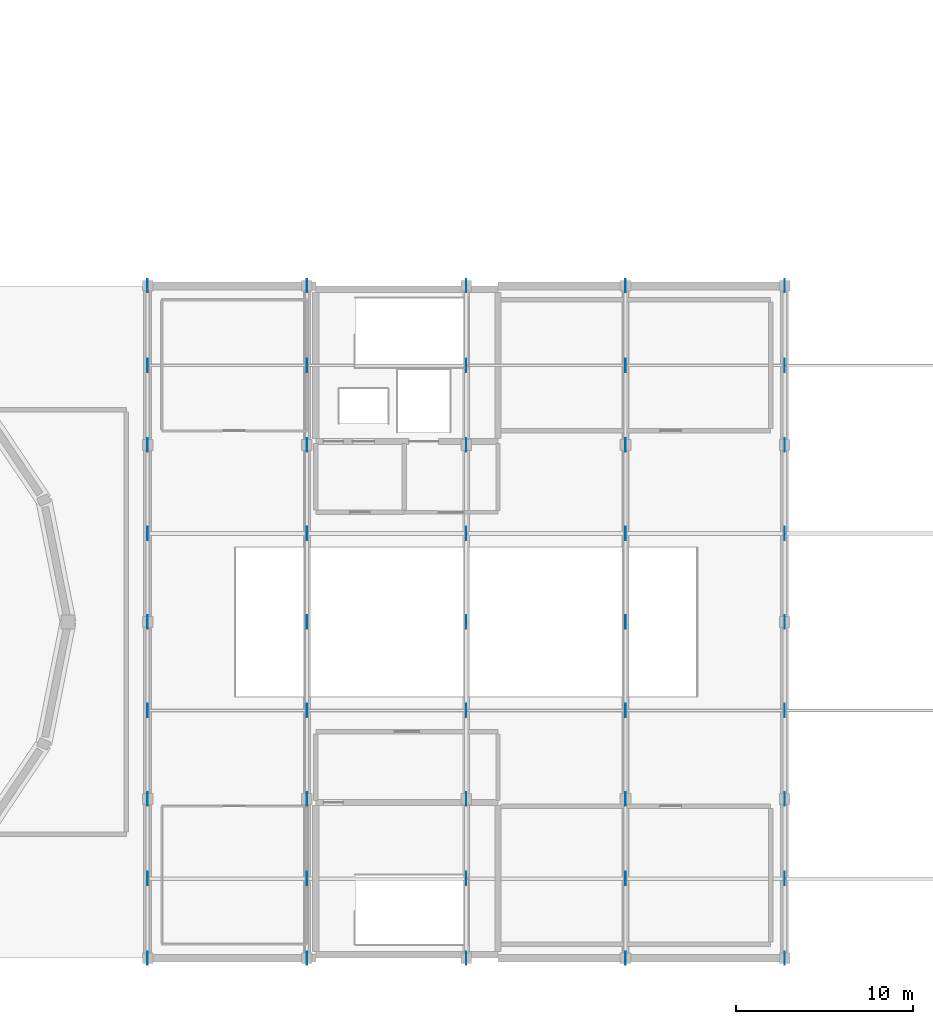
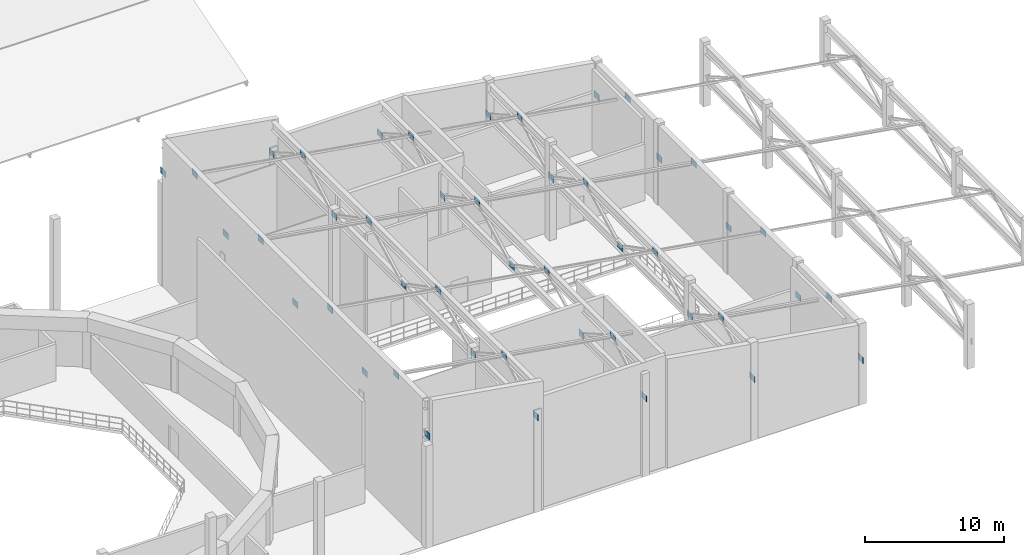
# One storey, part 58 of 68: 45 plates.
"""IFC4 building model written with IfcOpenShell, lengths in metres."""

from ifc_helpers import new_model, si_unit, direction, frame, origin, origin_2d, place, context, subcontext, project, spatial, rectangle, extrude, material, layer, layer_set, type_object, element, save


model = new_model("IFC4")

# Units and contexts
model_context = context("Model", 3, precision=1e-05, world=origin(), true_north=direction((0.0, 1.0)))
body_context = subcontext(model_context, "Body", "Model", "MODEL_VIEW")
ifc_project = project(units=[si_unit("LENGTHUNIT", "METRE"), si_unit("AREAUNIT", "SQUARE_METRE"), si_unit("VOLUMEUNIT", "CUBIC_METRE"), si_unit("PLANEANGLEUNIT", "RADIAN"), si_unit("MASSUNIT", "GRAM", prefix="KILO")], contexts=[model_context])

# Site, building, storey
site_placement = place(None, origin())
site = spatial("IfcSite", under=ifc_project, at=site_placement, CompositionType="ELEMENT")
building_placement = place(site_placement, origin())
building = spatial("IfcBuilding", under=site, at=building_placement, Name="Miravela Opera House", CompositionType="ELEMENT")
storey_placement = place(building_placement, frame((0.0, 0.0, 21.760009765625)))
storey = spatial("IfcBuildingStorey", under=building, at=storey_placement, Name="L05", CompositionType="ELEMENT", Elevation=21.760009765625)

# Plates
ifc_material = material(Name="Structural steel ASTM A572 Gr. 50", Category="steel")
ifc_layer = layer(ifc_material, 0.02001953125)
ifc_layer_set = layer_set([ifc_layer])
plate_type = type_object("IfcPlateType", Name="STR-PL-GUS-750X550X20", PredefinedType="USERDEFINED", material=ifc_layer_set)
for number, where, z_axis, x_axis, name in (
    (1, (99.0, 37.0, 9.48486328125), (0.0, 0.0, 1.0), (0.0, 1.0, 0.0), "Brace Node Gusset Plate 485"),
    (2, (99.0, 41.5, 12.0849609375), (0.0, 0.0, 1.0), (0.0, 1.0, 0.0), "Brace Node Gusset Plate 486"),
    (3, (99.0, 46.0, 9.48486328125), (0.0, 0.0, 1.0), (0.0, 1.0, 0.0), "Brace Node Gusset Plate 487"),
    (4, (99.0, 51.0, 12.0849609375), (0.0, 0.0, 1.0), (0.0, 1.0, 0.0), "Brace Node Gusset Plate 488"),
    (5, (99.0, 56.0, 9.48486328125), (0.0, 0.0, 1.0), (0.0, 1.0, 0.0), "Brace Node Gusset Plate 489"),
    (6, (99.0, 61.0, 12.0849609375), (0.0, 0.0, 1.0), (0.0, 1.0, 0.0), "Brace Node Gusset Plate 490"),
    (7, (99.0, 66.0, 9.48486328125), (0.0, 0.0, 1.0), (0.0, 1.0, 0.0), "Brace Node Gusset Plate 491"),
    (8, (99.0, 70.5, 12.0849609375), (0.0, 0.0, 1.0), (0.0, 1.0, 0.0), "Brace Node Gusset Plate 492"),
    (9, (99.0, 75.0, 9.48486328125), (0.0, 0.0, 1.0), (0.0, 1.0, 0.0), "Brace Node Gusset Plate 493"),
    (10, (108.0, 37.0, 8.01220703125), (0.0, 0.0, 1.0), (0.0, 1.0, 0.0), "Brace Node Gusset Plate 494"),
    (11, (108.0, 41.5, 10.6123046875), (0.0, 0.0, 1.0), (0.0, 1.0, 0.0), "Brace Node Gusset Plate 495"),
    (12, (108.0, 46.0, 8.01220703125), (0.0, 0.0, 1.0), (0.0, 1.0, 0.0), "Brace Node Gusset Plate 496"),
    (13, (108.0, 51.0, 10.6123046875), (0.0, 0.0, 1.0), (0.0, 1.0, 0.0), "Brace Node Gusset Plate 497"),
    (14, (108.0, 56.0, 8.01220703125), (0.0, 0.0, 1.0), (0.0, 1.0, 0.0), "Brace Node Gusset Plate 498"),
    (15, (108.0, 61.0, 10.6123046875), (0.0, 0.0, 1.0), (0.0, 1.0, 0.0), "Brace Node Gusset Plate 499"),
    (16, (108.0, 66.0, 8.01220703125), (0.0, 0.0, 1.0), (0.0, 1.0, 0.0), "Brace Node Gusset Plate 500"),
    (17, (108.0, 70.5, 10.6123046875), (0.0, 0.0, 1.0), (0.0, 1.0, 0.0), "Brace Node Gusset Plate 501"),
    (18, (108.0, 75.0, 8.01220703125), (0.0, 0.0, 1.0), (0.0, 1.0, 0.0), "Brace Node Gusset Plate 502"),
    (19, (117.0, 37.0, 6.53955078125), (0.0, 0.0, 1.0), (0.0, 1.0, 0.0), "Brace Node Gusset Plate 503"),
    (20, (117.0, 41.5, 9.1396484375), (0.0, 0.0, 1.0), (0.0, 1.0, 0.0), "Brace Node Gusset Plate 504"),
    (21, (117.0, 46.0, 6.53955078125), (0.0, 0.0, 1.0), (0.0, 1.0, 0.0), "Brace Node Gusset Plate 505"),
    (22, (117.0, 51.0, 9.1396484375), (0.0, 0.0, 1.0), (0.0, 1.0, 0.0), "Brace Node Gusset Plate 506"),
    (23, (117.0, 56.0, 6.53955078125), (0.0, 0.0, 1.0), (0.0, 1.0, 0.0), "Brace Node Gusset Plate 507"),
    (24, (117.0, 61.0, 9.1396484375), (0.0, 0.0, 1.0), (0.0, 1.0, 0.0), "Brace Node Gusset Plate 508"),
    (25, (117.0, 66.0, 6.53955078125), (0.0, 0.0, 1.0), (0.0, 1.0, 0.0), "Brace Node Gusset Plate 509"),
    (26, (117.0, 70.5, 9.1396484375), (0.0, 0.0, 1.0), (0.0, 1.0, 0.0), "Brace Node Gusset Plate 510"),
    (27, (117.0, 75.0, 6.53955078125), (0.0, 0.0, 1.0), (0.0, 1.0, 0.0), "Brace Node Gusset Plate 511"),
    (28, (126.0, 37.0, 5.06689453125), (0.0, 0.0, 1.0), (0.0, 1.0, 0.0), "Brace Node Gusset Plate 512"),
    (29, (126.0, 41.5, 7.6669921875), (0.0, 0.0, 1.0), (0.0, 1.0, 0.0), "Brace Node Gusset Plate 513"),
    (30, (126.0, 46.0, 5.06689453125), (0.0, 0.0, 1.0), (0.0, 1.0, 0.0), "Brace Node Gusset Plate 514"),
    (31, (126.0, 51.0, 7.6669921875), (0.0, 0.0, 1.0), (0.0, 1.0, 0.0), "Brace Node Gusset Plate 515"),
    (32, (126.0, 56.0, 5.06689453125), (0.0, 0.0, 1.0), (0.0, 1.0, 0.0), "Brace Node Gusset Plate 516"),
    (33, (126.0, 61.0, 7.6669921875), (0.0, 0.0, 1.0), (0.0, 1.0, 0.0), "Brace Node Gusset Plate 517"),
    (34, (126.0, 66.0, 5.06689453125), (0.0, 0.0, 1.0), (0.0, 1.0, 0.0), "Brace Node Gusset Plate 518"),
    (35, (126.0, 70.5, 7.6669921875), (0.0, 0.0, 1.0), (0.0, 1.0, 0.0), "Brace Node Gusset Plate 519"),
    (36, (126.0, 75.0, 5.06689453125), (0.0, 0.0, 1.0), (0.0, 1.0, 0.0), "Brace Node Gusset Plate 520"),
    (37, (135.0, 37.0, 3.59423828125), (0.0, 0.0, 1.0), (0.0, 1.0, 0.0), "Brace Node Gusset Plate 521"),
    (38, (135.0, 41.5, 6.19384765625), (0.0, 0.0, 1.0), (0.0, 1.0, 0.0), "Brace Node Gusset Plate 522"),
    (39, (135.0, 46.0, 3.59423828125), (0.0, 0.0, 1.0), (0.0, 1.0, 0.0), "Brace Node Gusset Plate 523"),
    (40, (135.0, 51.0, 6.19384765625), (0.0, 0.0, 1.0), (0.0, 1.0, 0.0), "Brace Node Gusset Plate 524"),
    (41, (135.0, 56.0, 3.59423828125), (0.0, 0.0, 1.0), (0.0, 1.0, 0.0), "Brace Node Gusset Plate 525"),
    (42, (135.0, 61.0, 6.19384765625), (0.0, 0.0, 1.0), (0.0, 1.0, 0.0), "Brace Node Gusset Plate 526"),
    (43, (135.0, 66.0, 3.59423828125), (0.0, 0.0, 1.0), (0.0, 1.0, 0.0), "Brace Node Gusset Plate 527"),
    (44, (135.0, 70.5, 6.19384765625), (0.0, 0.0, 1.0), (0.0, 1.0, 0.0), "Brace Node Gusset Plate 528"),
    (45, (135.0, 75.0, 3.59423828125), (0.0, 0.0, 1.0), (0.0, 1.0, 0.0), "Brace Node Gusset Plate 529"),
):
    element("IfcPlate", number, at=place(storey_placement, frame(where, z_axis=z_axis, x_axis=x_axis)), inside=storey, type_object=plate_type, Name=name, ObjectType="GUSSET PLATE", PredefinedType="USERDEFINED", context=body_context, shape_type="SweptSolid", body=[
        extrude(rectangle(XDim=0.75, YDim=0.02001953125, at=origin_2d()), origin(), (0.0, 0.0, 1.0), 0.550048828125),
    ])

save(model, "model.ifc")
